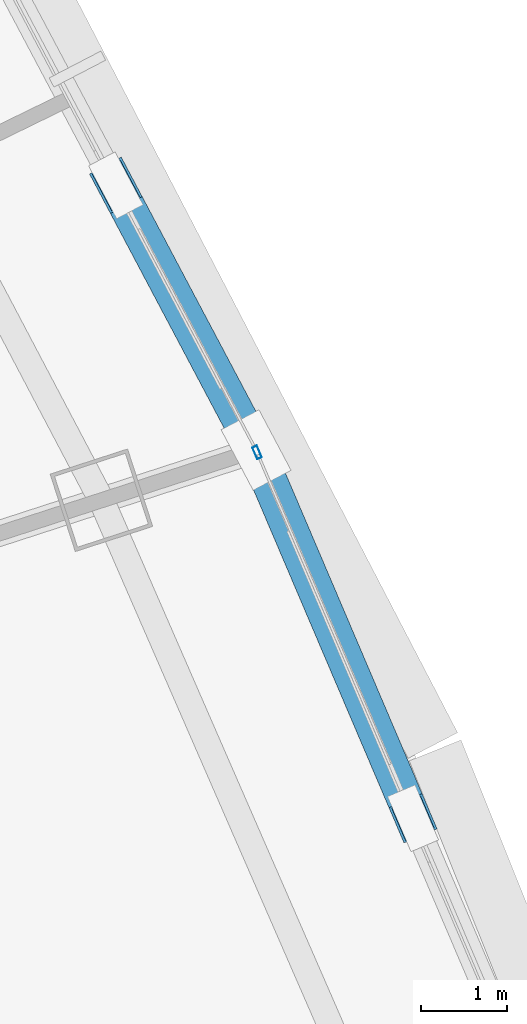
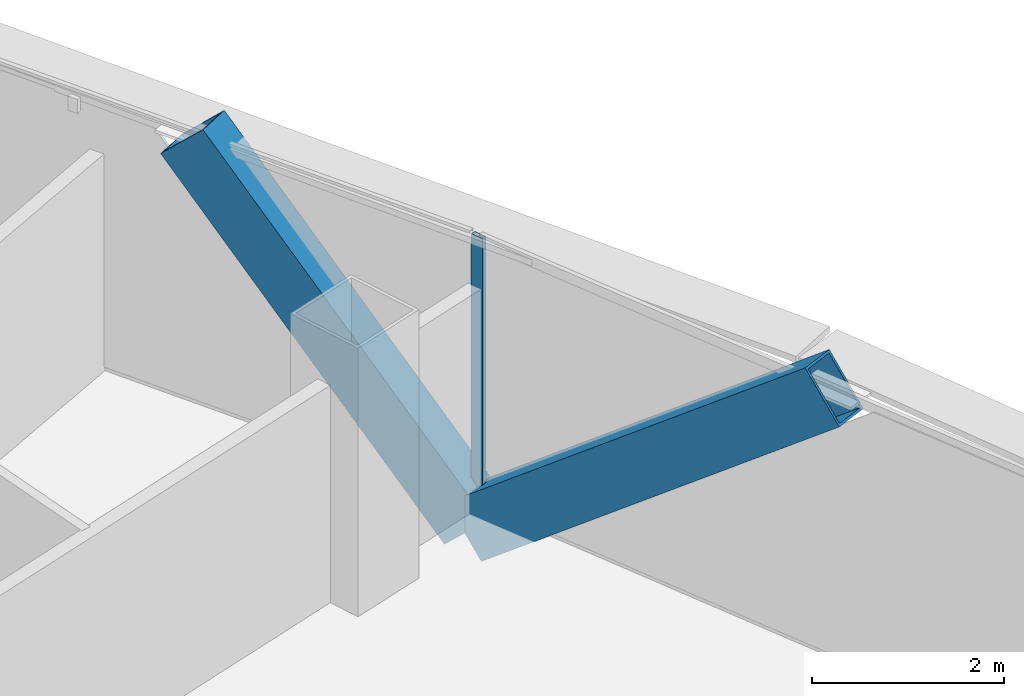
# One storey, part 26 of 42: 3 members, 1 element without a shape of its own.
"""IFC4 building model written with IfcOpenShell, lengths in metres."""

from ifc_helpers import new_model, si_unit, direction, frame, origin, origin_2d, place, context, subcontext, project, spatial, hollow_rectangle, extrude, source, transform, mapped, material, layer, layer_set, material_profile, profile_set, type_object, element, aggregate, save


model = new_model("IFC4")

# Units and contexts
model_context = context("Model", 3, precision=1e-05, world=origin(), true_north=direction((0.0, 1.0)))
body_context = subcontext(model_context, "Body", "Model", "MODEL_VIEW")
ifc_project = project(units=[si_unit("LENGTHUNIT", "METRE"), si_unit("AREAUNIT", "SQUARE_METRE"), si_unit("VOLUMEUNIT", "CUBIC_METRE"), si_unit("PLANEANGLEUNIT", "RADIAN"), si_unit("MASSUNIT", "GRAM", prefix="KILO"), si_unit("THERMODYNAMICTEMPERATUREUNIT", "KELVIN"), si_unit("POWERUNIT", "WATT")], contexts=[model_context])

# Site, building, storey
site_placement = place(None, origin())
site = spatial("IfcSite", under=ifc_project, at=site_placement, CompositionType="ELEMENT")
building_placement = place(site_placement, origin())
building = spatial("IfcBuilding", under=site, at=building_placement, Name="Yunzhuo Pagoda Commons", CompositionType="ELEMENT")
storey_placement = place(building_placement, frame((0.0, 0.0, 129.830078125)))
storey = spatial("IfcBuildingStorey", under=building, at=storey_placement, Name="L32", CompositionType="ELEMENT", Elevation=129.830078125)

# Members
ifc_material_1 = material(Name="Structural steel Q420B", Category="steel")
ifc_material_profile_1 = material_profile(ifc_material_1, hollow_rectangle(XDim=0.419921875, YDim=0.719970703125, WallThickness=0.028076171875, at=origin_2d()), Name="Structural steel Q420B")
ifc_profile_set_1 = profile_set([ifc_material_profile_1], Name="Structural steel Q420B")
member_type_1 = type_object("IfcMemberType", Name="M-DL1 Brace BOX 720x420x28", PredefinedType="BRACE", material=ifc_profile_set_1)
shared_shape_1 = source(origin(), body_context, "Body", "SweptSolid", [
    extrude(hollow_rectangle(XDim=0.419921875, YDim=0.719970703125, WallThickness=0.028076171875, at=origin_2d()), origin(), (0.0, 0.0, 1.0), 5.947509765625),
])
member_1_placement = place(storey_placement, frame((79.720458984375, 44.006591796875, -0.260009765625), z_axis=(0.30803773125, -0.722681804193, 0.618743699778), x_axis=(0.919918938864, 0.392108589448, 0.0)))
element("IfcMember", 1, at=member_1_placement, inside=storey, type_object=member_type_1, Name="L32 facade diamond brace F2.1R", PredefinedType="BRACE", context=body_context, shape_type="MappedRepresentation", body=[
    mapped(shared_shape_1, transform((0.0, 0.0, 0.0), scale=1.0)),
])
shared_shape_2 = source(origin(), body_context, "Body", "SweptSolid", [
    extrude(hollow_rectangle(XDim=0.419921875, YDim=0.719970703125, WallThickness=0.028076171875, at=origin_2d()), origin(), (0.0, 0.0, 1.0), 5.076416015625),
])
member_2_placement = place(storey_placement, frame((79.720458984375, 44.006591796875, -0.260009765625), z_axis=(-0.322420021566, 0.608721690477, 0.724916018058), x_axis=(-0.883694492721, -0.468064144679, 0.0)))
element("IfcMember", 2, at=member_2_placement, inside=storey, type_object=member_type_1, Name="L32 facade diamond brace F2.2L", PredefinedType="BRACE", context=body_context, shape_type="MappedRepresentation", body=[
    mapped(shared_shape_2, transform((0.0, 0.0, 0.0), scale=1.0)),
])

# Curtain wall, member
ifc_material_2 = material(Name="Anodized aluminium 6063-T6", Category="aluminium")
ifc_layer = layer(ifc_material_2, 0.14990234375)
ifc_layer_set = layer_set([ifc_layer], Name="Anodized aluminium 6063-T6")
curtain_wall_type = type_object("IfcCurtainWallType", Name="CW-MID Mid-Zone Ribbon Curtain Wall", PredefinedType="NOTDEFINED", material=ifc_layer_set)
curtain_wall_placement = place(storey_placement, origin())
curtain_wall = element("IfcCurtainWall", 3, at=curtain_wall_placement, inside=storey, type_object=curtain_wall_type, Name="L32 curtain wall CW-L32-F2B2", PredefinedType="NOTDEFINED")
ifc_material_profile_2 = material_profile(ifc_material_2, hollow_rectangle(XDim=0.06005859375, YDim=0.14990234375, WallThickness=0.00390625, at=origin_2d()), Name="Anodized aluminium 6063-T6")
ifc_profile_set_2 = profile_set([ifc_material_profile_2], Name="Anodized aluminium 6063-T6")
member_type_2 = type_object("IfcMemberType", Name="CW-MID-M Mullion RHS 150x60x4", PredefinedType="MULLION", material=ifc_profile_set_2)
shared_shape_3 = source(origin(), body_context, "Body", "SweptSolid", [
    extrude(hollow_rectangle(XDim=0.06005859375, YDim=0.14990234375, WallThickness=0.00390625, at=origin_2d()), origin(), (0.0, 0.0, 1.0), 3.419921875),
])
member_3_placement = place(storey_placement, frame((79.732177734375, 43.97900390625, 0.0), z_axis=(0.0, 0.0, 1.0), x_axis=(-0.919928137274, -0.392087008522, 0.0)))
member_3 = element("IfcMember", 4, at=member_3_placement, type_object=member_type_2, Name="CW mullion 2", PredefinedType="MULLION", context=body_context, shape_type="MappedRepresentation", body=[
    mapped(shared_shape_3, transform((0.0, 0.0, 0.0), scale=1.0)),
])
aggregate(curtain_wall, [member_3])

save(model, "model.ifc")
